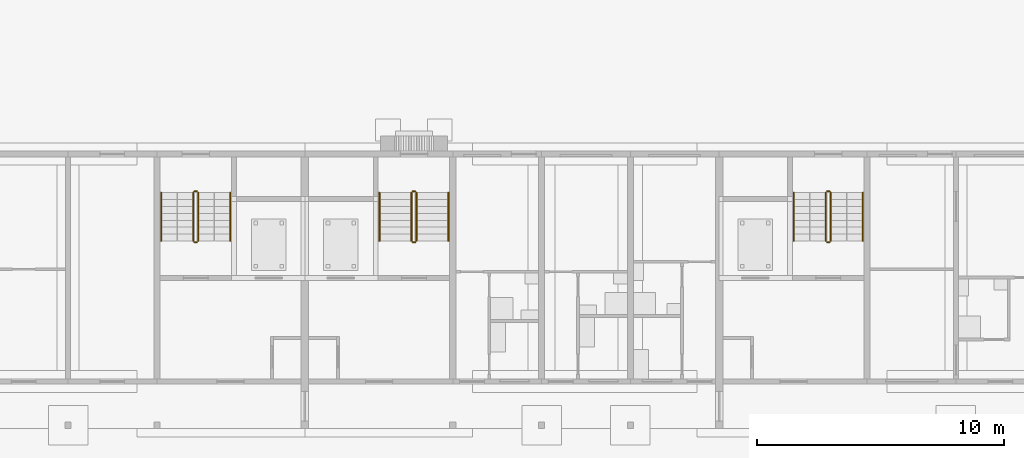
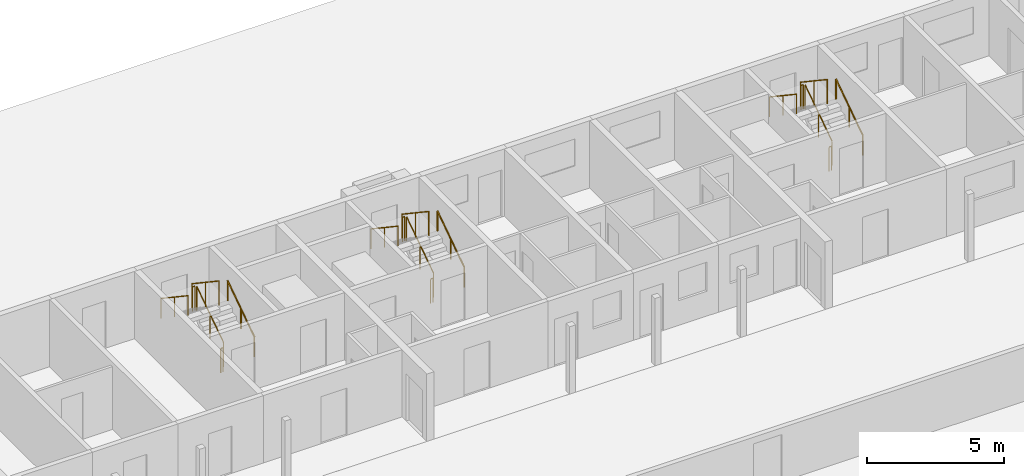
# One storey, part 94 of 112: 18 railings.
"""IFC4 building model written with IfcOpenShell, lengths in metres."""

from ifc_helpers import new_model, si_unit, direction, frame, origin, origin_2d, place, context, subcontext, project, spatial, circle, extrude, material, type_object, element, save


model = new_model("IFC4")

# Units and contexts
model_context = context("Model", 3, precision=1e-05, world=origin(), true_north=direction((0.0, 1.0)))
body_context = subcontext(model_context, "Body", "Model", "MODEL_VIEW")
ifc_project = project(units=[si_unit("LENGTHUNIT", "METRE"), si_unit("AREAUNIT", "SQUARE_METRE"), si_unit("VOLUMEUNIT", "CUBIC_METRE"), si_unit("PLANEANGLEUNIT", "RADIAN"), si_unit("MASSUNIT", "GRAM", prefix="KILO")], contexts=[model_context])

# Site, building, storey
site_placement = place(None, origin())
site = spatial("IfcSite", under=ifc_project, at=site_placement, CompositionType="ELEMENT")
building_placement = place(site_placement, origin())
building = spatial("IfcBuilding", under=site, at=building_placement, Name="Ridgestep Commons", CompositionType="ELEMENT")
storey_placement = place(building_placement, origin())
storey = spatial("IfcBuildingStorey", under=building, at=storey_placement, Name="L00", CompositionType="ELEMENT", Elevation=0.0)

# Railings
ifc_material_1 = material(Name="Structural steel S355JR", Category="steel")
railing_type_1 = type_object("IfcRailingType", Name="Stair guard 1100", PredefinedType="GUARDRAIL", material=ifc_material_1)
railing_1_placement = place(storey_placement, frame((24.47509765625, 73.60009765625, 0.1875)))
element("IfcRailing", 1, at=railing_1_placement, inside=storey, type_object=railing_type_1, Name="L00 B1C stair guard 1", PredefinedType="GUARDRAIL", context=body_context, shape_type="SweptSolid", body=[
    extrude(circle(Radius=0.02392578125, at=origin_2d()), frame((0.0, 0.0, 1.076171875), z_axis=(0.0, 0.830902050051, 0.556418712142), x_axis=(-1.0, 0.0, 0.0)), (0.0, 0.0, 1.0), 2.35888671875),
    extrude(circle(Radius=0.02099609375, at=origin_2d()), origin(), (0.0, 0.0, 1.0), 1.052001953125),
    extrude(circle(Radius=0.02099609375, at=origin_2d()), frame((0.0, 0.97998046875, 0.65625)), (0.0, 0.0, 1.0), 1.052001953125),
    extrude(circle(Radius=0.02099609375, at=origin_2d()), frame((0.0, 1.9599609375, 1.3125)), (0.0, 0.0, 1.0), 1.052001953125),
])
railing_2_placement = place(storey_placement, frame((24.425048828125, 75.610107421875, 1.5)))
element("IfcRailing", 2, at=railing_2_placement, inside=storey, type_object=railing_type_1, Name="L00 B1C stair guard 2", PredefinedType="GUARDRAIL", context=body_context, shape_type="SweptSolid", body=[
    extrude(circle(Radius=0.02392578125, at=origin_2d()), frame((0.0, 0.0, 1.076171875), z_axis=(-1.0, 0.0, 0.0), x_axis=(0.0, -1.0, 0.0)), (0.0, 0.0, 1.0), 0.10009765625),
    extrude(circle(Radius=0.02099609375, at=origin_2d()), origin(), (0.0, 0.0, 1.0), 1.052001953125),
    extrude(circle(Radius=0.02099609375, at=origin_2d()), frame((-0.10009765625, 0.0, 0.0)), (0.0, 0.0, 1.0), 1.052001953125),
])
railing_3_placement = place(storey_placement, frame((24.27490234375, 75.56005859375, 1.6875)))
element("IfcRailing", 3, at=railing_3_placement, inside=storey, type_object=railing_type_1, Name="L00 B1C stair guard 3", PredefinedType="GUARDRAIL", context=body_context, shape_type="SweptSolid", body=[
    extrude(circle(Radius=0.02392578125, at=origin_2d()), frame((0.0, 0.0, 1.076171875), z_axis=(0.0, -0.830902050051, 0.556418712142), x_axis=(1.0, 0.0, 0.0)), (0.0, 0.0, 1.0), 2.35888671875),
    extrude(circle(Radius=0.02099609375, at=origin_2d()), origin(), (0.0, 0.0, 1.0), 1.052001953125),
    extrude(circle(Radius=0.02099609375, at=origin_2d()), frame((0.0, -0.97998046875, 0.65625)), (0.0, 0.0, 1.0), 1.052001953125),
    extrude(circle(Radius=0.02099609375, at=origin_2d()), frame((0.0, -1.9599609375, 1.3125)), (0.0, 0.0, 1.0), 1.052001953125),
])
railing_4_placement = place(storey_placement, frame((24.425048828125, 73.550048828125, 0.0)))
element("IfcRailing", 4, at=railing_4_placement, inside=storey, type_object=railing_type_1, Name="L00 B1C stair guard 4", PredefinedType="GUARDRAIL", context=body_context, shape_type="SweptSolid", body=[
    extrude(circle(Radius=0.02392578125, at=origin_2d()), frame((0.0, 0.0, 1.076171875), z_axis=(-1.0, 0.0, 0.0), x_axis=(0.0, -1.0, 0.0)), (0.0, 0.0, 1.0), 0.10009765625),
    extrude(circle(Radius=0.02099609375, at=origin_2d()), origin(), (0.0, 0.0, 1.0), 1.052001953125),
    extrude(circle(Radius=0.02099609375, at=origin_2d()), frame((-0.10009765625, 0.0, 0.0)), (0.0, 0.0, 1.0), 1.052001953125),
])
railing_5_placement = place(storey_placement, frame((33.324951171875, 73.60009765625, 0.1875)))
element("IfcRailing", 5, at=railing_5_placement, inside=storey, type_object=railing_type_1, Name="L00 B2C stair guard 1", PredefinedType="GUARDRAIL", context=body_context, shape_type="SweptSolid", body=[
    extrude(circle(Radius=0.02392578125, at=origin_2d()), frame((0.0, 0.0, 1.076171875), z_axis=(0.0, 0.830902050051, 0.556418712142), x_axis=(-1.0, 0.0, 0.0)), (0.0, 0.0, 1.0), 2.35888671875),
    extrude(circle(Radius=0.02099609375, at=origin_2d()), origin(), (0.0, 0.0, 1.0), 1.052001953125),
    extrude(circle(Radius=0.02099609375, at=origin_2d()), frame((0.0, 0.97998046875, 0.65625)), (0.0, 0.0, 1.0), 1.052001953125),
    extrude(circle(Radius=0.02099609375, at=origin_2d()), frame((0.0, 1.9599609375, 1.3125)), (0.0, 0.0, 1.0), 1.052001953125),
])
railing_6_placement = place(storey_placement, frame((33.27490234375, 75.610107421875, 1.5)))
element("IfcRailing", 6, at=railing_6_placement, inside=storey, type_object=railing_type_1, Name="L00 B2C stair guard 2", PredefinedType="GUARDRAIL", context=body_context, shape_type="SweptSolid", body=[
    extrude(circle(Radius=0.02392578125, at=origin_2d()), frame((0.0, 0.0, 1.076171875), z_axis=(-1.0, 0.0, 0.0), x_axis=(0.0, -1.0, 0.0)), (0.0, 0.0, 1.0), 0.099853515625),
    extrude(circle(Radius=0.02099609375, at=origin_2d()), origin(), (0.0, 0.0, 1.0), 1.052001953125),
    extrude(circle(Radius=0.02099609375, at=origin_2d()), frame((-0.099853515625, 0.0, 0.0)), (0.0, 0.0, 1.0), 1.052001953125),
])
railing_7_placement = place(storey_placement, frame((33.125, 75.56005859375, 1.6875)))
element("IfcRailing", 7, at=railing_7_placement, inside=storey, type_object=railing_type_1, Name="L00 B2C stair guard 3", PredefinedType="GUARDRAIL", context=body_context, shape_type="SweptSolid", body=[
    extrude(circle(Radius=0.02392578125, at=origin_2d()), frame((0.0, 0.0, 1.076171875), z_axis=(0.0, -0.830902050051, 0.556418712142), x_axis=(1.0, 0.0, 0.0)), (0.0, 0.0, 1.0), 2.35888671875),
    extrude(circle(Radius=0.02099609375, at=origin_2d()), origin(), (0.0, 0.0, 1.0), 1.052001953125),
    extrude(circle(Radius=0.02099609375, at=origin_2d()), frame((0.0, -0.97998046875, 0.65625)), (0.0, 0.0, 1.0), 1.052001953125),
    extrude(circle(Radius=0.02099609375, at=origin_2d()), frame((0.0, -1.9599609375, 1.3125)), (0.0, 0.0, 1.0), 1.052001953125),
])
railing_8_placement = place(storey_placement, frame((33.27490234375, 73.550048828125, 0.0)))
element("IfcRailing", 8, at=railing_8_placement, inside=storey, type_object=railing_type_1, Name="L00 B2C stair guard 4", PredefinedType="GUARDRAIL", context=body_context, shape_type="SweptSolid", body=[
    extrude(circle(Radius=0.02392578125, at=origin_2d()), frame((0.0, 0.0, 1.076171875), z_axis=(-1.0, 0.0, 0.0), x_axis=(0.0, -1.0, 0.0)), (0.0, 0.0, 1.0), 0.099853515625),
    extrude(circle(Radius=0.02099609375, at=origin_2d()), origin(), (0.0, 0.0, 1.0), 1.052001953125),
    extrude(circle(Radius=0.02099609375, at=origin_2d()), frame((-0.099853515625, 0.0, 0.0)), (0.0, 0.0, 1.0), 1.052001953125),
])
railing_9_placement = place(storey_placement, frame((50.125, 73.60009765625, 0.1875)))
element("IfcRailing", 9, at=railing_9_placement, inside=storey, type_object=railing_type_1, Name="L00 B3C stair guard 1", PredefinedType="GUARDRAIL", context=body_context, shape_type="SweptSolid", body=[
    extrude(circle(Radius=0.02392578125, at=origin_2d()), frame((0.0, 0.0, 1.076171875), z_axis=(0.0, 0.830902050051, 0.556418712142), x_axis=(-1.0, 0.0, 0.0)), (0.0, 0.0, 1.0), 2.35888671875),
    extrude(circle(Radius=0.02099609375, at=origin_2d()), origin(), (0.0, 0.0, 1.0), 1.052001953125),
    extrude(circle(Radius=0.02099609375, at=origin_2d()), frame((0.0, 0.97998046875, 0.65625)), (0.0, 0.0, 1.0), 1.052001953125),
    extrude(circle(Radius=0.02099609375, at=origin_2d()), frame((0.0, 1.9599609375, 1.3125)), (0.0, 0.0, 1.0), 1.052001953125),
])
railing_10_placement = place(storey_placement, frame((50.074951171875, 75.610107421875, 1.5)))
element("IfcRailing", 10, at=railing_10_placement, inside=storey, type_object=railing_type_1, Name="L00 B3C stair guard 2", PredefinedType="GUARDRAIL", context=body_context, shape_type="SweptSolid", body=[
    extrude(circle(Radius=0.02392578125, at=origin_2d()), frame((0.0, 0.0, 1.076171875), z_axis=(-1.0, 0.0, 0.0), x_axis=(0.0, -1.0, 0.0)), (0.0, 0.0, 1.0), 0.099853515625),
    extrude(circle(Radius=0.02099609375, at=origin_2d()), origin(), (0.0, 0.0, 1.0), 1.052001953125),
    extrude(circle(Radius=0.02099609375, at=origin_2d()), frame((-0.099853515625, 0.0, 0.0)), (0.0, 0.0, 1.0), 1.052001953125),
])
railing_11_placement = place(storey_placement, frame((49.925048828125, 75.56005859375, 1.6875)))
element("IfcRailing", 11, at=railing_11_placement, inside=storey, type_object=railing_type_1, Name="L00 B3C stair guard 3", PredefinedType="GUARDRAIL", context=body_context, shape_type="SweptSolid", body=[
    extrude(circle(Radius=0.02392578125, at=origin_2d()), frame((0.0, 0.0, 1.076171875), z_axis=(0.0, -0.830902050051, 0.556418712142), x_axis=(1.0, 0.0, 0.0)), (0.0, 0.0, 1.0), 2.35888671875),
    extrude(circle(Radius=0.02099609375, at=origin_2d()), origin(), (0.0, 0.0, 1.0), 1.052001953125),
    extrude(circle(Radius=0.02099609375, at=origin_2d()), frame((0.0, -0.97998046875, 0.65625)), (0.0, 0.0, 1.0), 1.052001953125),
    extrude(circle(Radius=0.02099609375, at=origin_2d()), frame((0.0, -1.9599609375, 1.3125)), (0.0, 0.0, 1.0), 1.052001953125),
])
railing_12_placement = place(storey_placement, frame((50.074951171875, 73.550048828125, 0.0)))
element("IfcRailing", 12, at=railing_12_placement, inside=storey, type_object=railing_type_1, Name="L00 B3C stair guard 4", PredefinedType="GUARDRAIL", context=body_context, shape_type="SweptSolid", body=[
    extrude(circle(Radius=0.02392578125, at=origin_2d()), frame((0.0, 0.0, 1.076171875), z_axis=(-1.0, 0.0, 0.0), x_axis=(0.0, -1.0, 0.0)), (0.0, 0.0, 1.0), 0.099853515625),
    extrude(circle(Radius=0.02099609375, at=origin_2d()), origin(), (0.0, 0.0, 1.0), 1.052001953125),
    extrude(circle(Radius=0.02099609375, at=origin_2d()), frame((-0.099853515625, 0.0, 0.0)), (0.0, 0.0, 1.0), 1.052001953125),
])
ifc_material_2 = material(Name="Structural steel S355JR", Category="steel")
railing_type_2 = type_object("IfcRailingType", Name="Stair handrail 900", PredefinedType="HANDRAIL", material=ifc_material_2)
railing_13_placement = place(storey_placement, frame((25.77490234375, 73.60009765625, 0.1875)))
element("IfcRailing", 13, at=railing_13_placement, inside=storey, type_object=railing_type_2, Name="L00 B1C stair handrail 1", PredefinedType="HANDRAIL", context=body_context, shape_type="SweptSolid", body=[
    extrude(circle(Radius=0.02392578125, at=origin_2d()), frame((0.0, 0.0, 0.8759765625), z_axis=(0.0, 0.830902050051, 0.556418712142), x_axis=(-1.0, 0.0, 0.0)), (0.0, 0.0, 1.0), 2.35888671875),
    extrude(circle(Radius=0.02099609375, at=origin_2d()), origin(), (0.0, 0.0, 1.0), 0.851806640625),
    extrude(circle(Radius=0.02099609375, at=origin_2d()), frame((0.0, 0.97998046875, 0.65625)), (0.0, 0.0, 1.0), 0.851806640625),
    extrude(circle(Radius=0.02099609375, at=origin_2d()), frame((0.0, 1.9599609375, 1.3125)), (0.0, 0.0, 1.0), 0.851806640625),
])
railing_14_placement = place(storey_placement, frame((22.97509765625, 75.56005859375, 1.6875)))
element("IfcRailing", 14, at=railing_14_placement, inside=storey, type_object=railing_type_2, Name="L00 B1C stair handrail 2", PredefinedType="HANDRAIL", context=body_context, shape_type="SweptSolid", body=[
    extrude(circle(Radius=0.02392578125, at=origin_2d()), frame((0.0, 0.0, 0.8759765625), z_axis=(0.0, -0.830902050051, 0.556418712142), x_axis=(1.0, 0.0, 0.0)), (0.0, 0.0, 1.0), 2.35888671875),
    extrude(circle(Radius=0.02099609375, at=origin_2d()), origin(), (0.0, 0.0, 1.0), 0.851806640625),
    extrude(circle(Radius=0.02099609375, at=origin_2d()), frame((0.0, -0.97998046875, 0.65625)), (0.0, 0.0, 1.0), 0.851806640625),
    extrude(circle(Radius=0.02099609375, at=origin_2d()), frame((0.0, -1.9599609375, 1.3125)), (0.0, 0.0, 1.0), 0.851806640625),
])
railing_15_placement = place(storey_placement, frame((34.625, 73.60009765625, 0.1875)))
element("IfcRailing", 15, at=railing_15_placement, inside=storey, type_object=railing_type_2, Name="L00 B2C stair handrail 1", PredefinedType="HANDRAIL", context=body_context, shape_type="SweptSolid", body=[
    extrude(circle(Radius=0.02392578125, at=origin_2d()), frame((0.0, 0.0, 0.8759765625), z_axis=(0.0, 0.830902050051, 0.556418712142), x_axis=(-1.0, 0.0, 0.0)), (0.0, 0.0, 1.0), 2.35888671875),
    extrude(circle(Radius=0.02099609375, at=origin_2d()), origin(), (0.0, 0.0, 1.0), 0.851806640625),
    extrude(circle(Radius=0.02099609375, at=origin_2d()), frame((0.0, 0.97998046875, 0.65625)), (0.0, 0.0, 1.0), 0.851806640625),
    extrude(circle(Radius=0.02099609375, at=origin_2d()), frame((0.0, 1.9599609375, 1.3125)), (0.0, 0.0, 1.0), 0.851806640625),
])
railing_16_placement = place(storey_placement, frame((31.824951171875, 75.56005859375, 1.6875)))
element("IfcRailing", 16, at=railing_16_placement, inside=storey, type_object=railing_type_2, Name="L00 B2C stair handrail 2", PredefinedType="HANDRAIL", context=body_context, shape_type="SweptSolid", body=[
    extrude(circle(Radius=0.02392578125, at=origin_2d()), frame((0.0, 0.0, 0.8759765625), z_axis=(0.0, -0.830902050051, 0.556418712142), x_axis=(1.0, 0.0, 0.0)), (0.0, 0.0, 1.0), 2.35888671875),
    extrude(circle(Radius=0.02099609375, at=origin_2d()), origin(), (0.0, 0.0, 1.0), 0.851806640625),
    extrude(circle(Radius=0.02099609375, at=origin_2d()), frame((0.0, -0.97998046875, 0.65625)), (0.0, 0.0, 1.0), 0.851806640625),
    extrude(circle(Radius=0.02099609375, at=origin_2d()), frame((0.0, -1.9599609375, 1.3125)), (0.0, 0.0, 1.0), 0.851806640625),
])
railing_17_placement = place(storey_placement, frame((51.425048828125, 73.60009765625, 0.1875)))
element("IfcRailing", 17, at=railing_17_placement, inside=storey, type_object=railing_type_2, Name="L00 B3C stair handrail 1", PredefinedType="HANDRAIL", context=body_context, shape_type="SweptSolid", body=[
    extrude(circle(Radius=0.02392578125, at=origin_2d()), frame((0.0, 0.0, 0.8759765625), z_axis=(0.0, 0.830902050051, 0.556418712142), x_axis=(-1.0, 0.0, 0.0)), (0.0, 0.0, 1.0), 2.35888671875),
    extrude(circle(Radius=0.02099609375, at=origin_2d()), origin(), (0.0, 0.0, 1.0), 0.851806640625),
    extrude(circle(Radius=0.02099609375, at=origin_2d()), frame((0.0, 0.97998046875, 0.65625)), (0.0, 0.0, 1.0), 0.851806640625),
    extrude(circle(Radius=0.02099609375, at=origin_2d()), frame((0.0, 1.9599609375, 1.3125)), (0.0, 0.0, 1.0), 0.851806640625),
])
railing_18_placement = place(storey_placement, frame((48.625, 75.56005859375, 1.6875)))
element("IfcRailing", 18, at=railing_18_placement, inside=storey, type_object=railing_type_2, Name="L00 B3C stair handrail 2", PredefinedType="HANDRAIL", context=body_context, shape_type="SweptSolid", body=[
    extrude(circle(Radius=0.02392578125, at=origin_2d()), frame((0.0, 0.0, 0.8759765625), z_axis=(0.0, -0.830902050051, 0.556418712142), x_axis=(1.0, 0.0, 0.0)), (0.0, 0.0, 1.0), 2.35888671875),
    extrude(circle(Radius=0.02099609375, at=origin_2d()), origin(), (0.0, 0.0, 1.0), 0.851806640625),
    extrude(circle(Radius=0.02099609375, at=origin_2d()), frame((0.0, -0.97998046875, 0.65625)), (0.0, 0.0, 1.0), 0.851806640625),
    extrude(circle(Radius=0.02099609375, at=origin_2d()), frame((0.0, -1.9599609375, 1.3125)), (0.0, 0.0, 1.0), 0.851806640625),
])

save(model, "model.ifc")
